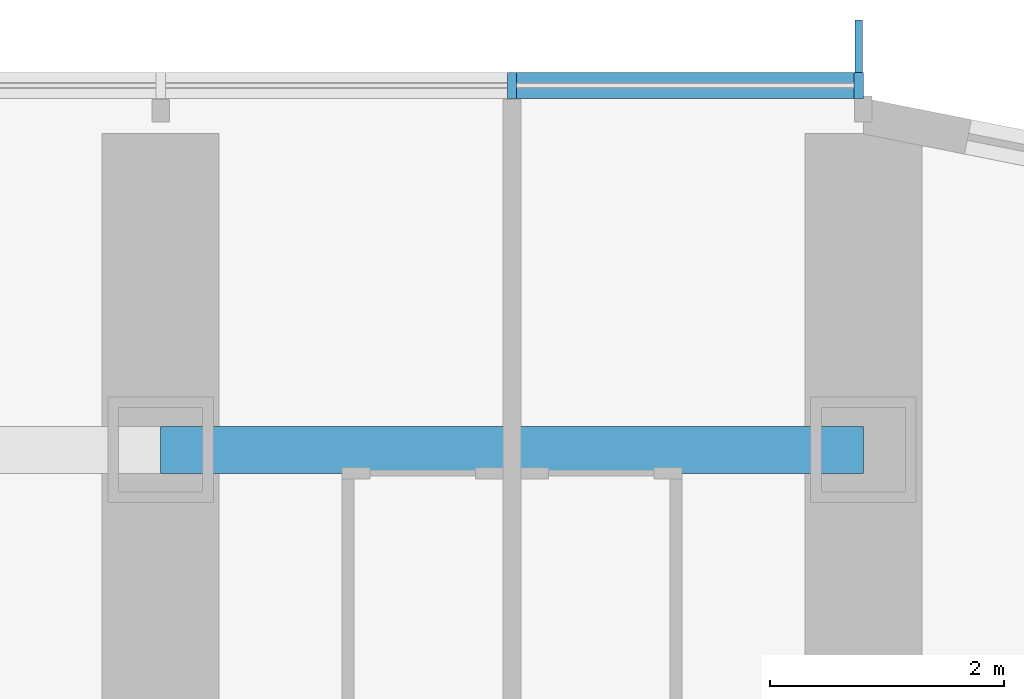
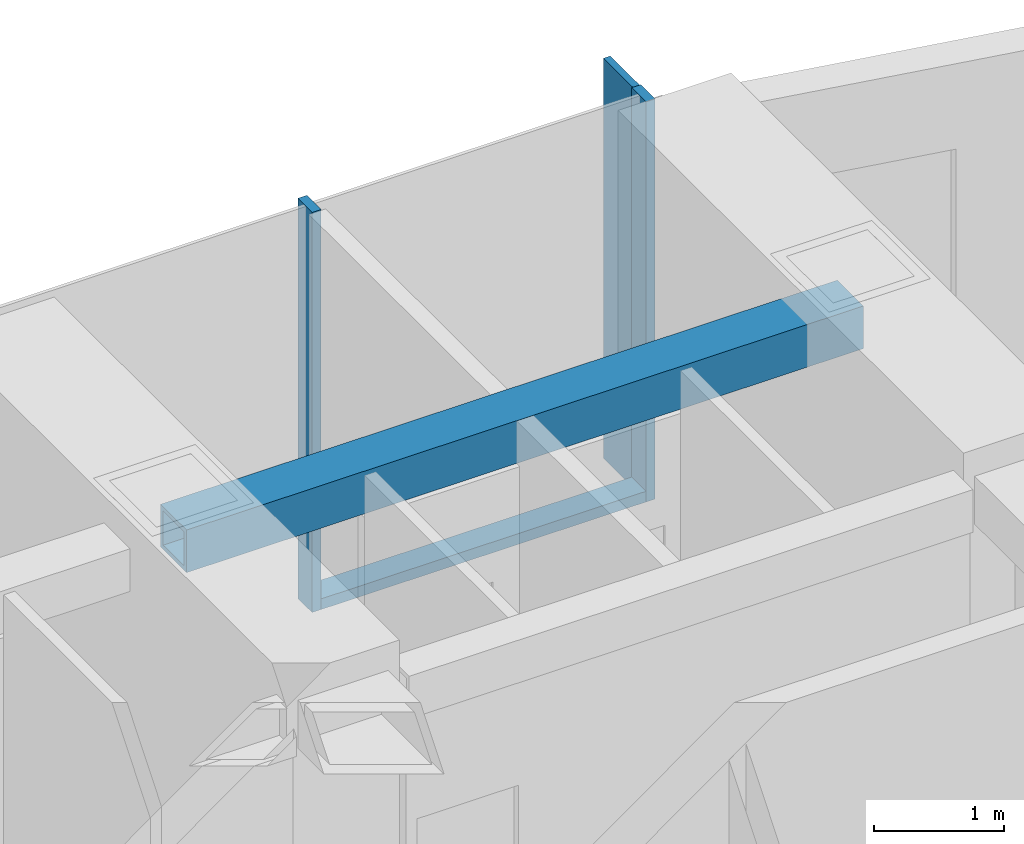
# One storey, part 7 of 25: 4 members, 1 beam, 1 element without a shape of its own.
"""IFC4 building model written with IfcOpenShell, lengths in metres."""

from ifc_helpers import new_model, si_unit, direction, frame, origin, origin_2d, place, context, subcontext, project, spatial, rectangle, hollow_rectangle, extrude, material, material_profile, profile_set, type_object, element, aggregate, save


model = new_model("IFC4")

# Units and contexts
model_context = context("Model", 3, precision=1e-05, world=origin(), true_north=direction((0.0, 1.0)))
body_context = subcontext(model_context, "Body", "Model", "MODEL_VIEW")
ifc_project = project(units=[si_unit("LENGTHUNIT", "METRE"), si_unit("AREAUNIT", "SQUARE_METRE"), si_unit("VOLUMEUNIT", "CUBIC_METRE"), si_unit("PLANEANGLEUNIT", "RADIAN"), si_unit("MASSUNIT", "GRAM", prefix="KILO")], contexts=[model_context])

# Site, building, storey
site_placement = place(None, origin())
site = spatial("IfcSite", under=ifc_project, at=site_placement, CompositionType="ELEMENT")
building_placement = place(site_placement, origin())
building = spatial("IfcBuilding", under=site, at=building_placement, Name="Orbita Commons", CompositionType="ELEMENT")
storey_placement = place(building_placement, frame((0.0, 0.0, 31.449951171875)))
storey = spatial("IfcBuildingStorey", under=building, at=storey_placement, Name="L07", CompositionType="ELEMENT", Elevation=31.449951171875)

# Curtain wall, members
ifc_material_1 = material(Name="Anodised aluminium frame, pale silver", Category="aluminium")
curtain_wall_type = type_object("IfcCurtainWallType", Name="Unitised curtain wall CW-T, vision and spandrel", PredefinedType="NOTDEFINED", material=ifc_material_1)
curtain_wall_placement = place(storey_placement, origin())
curtain_wall = element("IfcCurtainWall", 1, at=curtain_wall_placement, inside=storey, type_object=curtain_wall_type, Name="Curtain wall north L07", PredefinedType="NOTDEFINED")
ifc_material_2 = material(Name="Anodised aluminium, pale silver", Category="aluminium")
ifc_material_profile_1 = material_profile(ifc_material_2, rectangle(XDim=0.080078125, YDim=0.219970703125, at=origin_2d()), Name="AL 80x220")
ifc_profile_set_1 = profile_set([ifc_material_profile_1], Name="Anodised aluminium, pale silver")
member_type_1 = type_object("IfcMemberType", Name="Curtain wall mullion 80x220", PredefinedType="MULLION", material=ifc_profile_set_1)
member_1_placement = place(storey_placement, frame((71.9599609375, 56.7099609375, -0.25), z_axis=(0.0, 0.0, 1.0), x_axis=(-1.0, 0.0, 0.0)))
member_1 = element("IfcMember", 2, at=member_1_placement, type_object=member_type_1, Name="Mullion 1 CW-L07-N", PredefinedType="MULLION", context=body_context, shape_type="SweptSolid", body=[
    extrude(rectangle(XDim=0.080078125, YDim=0.219970703125, at=origin_2d()), origin(), (0.0, 0.0, 1.0), 3.75),
])
member_2_placement = place(storey_placement, frame((69.0, 56.7099609375, -0.25), z_axis=(0.0, 0.0, 1.0), x_axis=(-1.0, 0.0, 0.0)))
member_2 = element("IfcMember", 3, at=member_2_placement, type_object=member_type_1, Name="Mullion 2 CW-L07-N", PredefinedType="MULLION", context=body_context, shape_type="SweptSolid", body=[
    extrude(rectangle(XDim=0.080078125, YDim=0.219970703125, at=origin_2d()), origin(), (0.0, 0.0, 1.0), 3.75),
])
ifc_material_3 = material(Name="Anodised aluminium, pale silver", Category="aluminium")
ifc_material_profile_2 = material_profile(ifc_material_3, rectangle(XDim=0.219970703125, YDim=0.10009765625, at=origin_2d()), Name="AL 220x100")
ifc_profile_set_2 = profile_set([ifc_material_profile_2], Name="Anodised aluminium, pale silver")
member_type_2 = type_object("IfcMemberType", Name="Curtain wall stack transom 220x100", PredefinedType="USERDEFINED", material=ifc_profile_set_2)
member_3_placement = place(storey_placement, frame((71.919921875, 56.7099609375, -0.199951171875), z_axis=(-1.0, 0.0, 0.0), x_axis=(0.0, -1.0, 0.0)))
member_3 = element("IfcMember", 4, at=member_3_placement, type_object=member_type_2, Name="Transom 1.1 CW-L07-N", ObjectType="TRANSOM", PredefinedType="USERDEFINED", context=body_context, shape_type="SweptSolid", body=[
    extrude(rectangle(XDim=0.219970703125, YDim=0.10009765625, at=origin_2d()), origin(), (0.0, 0.0, 1.0), 2.8798828125),
])

# Beam
ifc_material_4 = material(Name="Steel ASTM A572 Gr 50 welded plate", Category="steel")
ifc_material_profile_3 = material_profile(ifc_material_4, hollow_rectangle(XDim=0.39990234375, YDim=0.39990234375, WallThickness=0.0400390625, at=origin_2d()), Name="BOX 400x400x40")
ifc_profile_set_3 = profile_set([ifc_material_profile_3], Name="Steel ASTM A572 Gr 50 welded plate")
beam_type = type_object("IfcBeamType", Name="Steel spandrel BOX 400x400x40", PredefinedType="SPANDREL", material=ifc_profile_set_3)
beam_placement = place(storey_placement, frame((66.0, 53.60009765625, 3.300048828125), z_axis=(1.0, 0.0, 0.0), x_axis=(0.0, 1.0, 0.0)))
element("IfcBeam", 5, at=beam_placement, inside=storey, type_object=beam_type, Name="Spandrel beam E 12-13 L07", PredefinedType="SPANDREL", context=body_context, shape_type="SweptSolid", body=[
    extrude(hollow_rectangle(XDim=0.39990234375, YDim=0.39990234375, WallThickness=0.0400390625, at=origin_2d()), origin(), (0.0, 0.0, 1.0), 6.0),
])

# Member
ifc_material_5 = material(Name="Anodised aluminium, pale silver", Category="aluminium")
ifc_material_profile_4 = material_profile(ifc_material_5, rectangle(XDim=0.06005859375, YDim=0.449951171875, at=origin_2d()), Name="FIN 60x450")
ifc_profile_set_4 = profile_set([ifc_material_profile_4], Name="Anodised aluminium, pale silver")
member_type_3 = type_object("IfcMemberType", Name="Vertical fin 60x450 pale aluminium", PredefinedType="USERDEFINED", material=ifc_profile_set_4)
member_4_placement = place(storey_placement, frame((71.9599609375, 57.044921875, -0.25), z_axis=(0.0, 0.0, 1.0), x_axis=(-1.0, 0.0, 0.0)))
member_4 = element("IfcMember", 6, at=member_4_placement, type_object=member_type_3, Name="Fin 1 CW-L07-N", ObjectType="FIN", PredefinedType="USERDEFINED", context=body_context, shape_type="SweptSolid", body=[
    extrude(rectangle(XDim=0.06005859375, YDim=0.449951171875, at=origin_2d()), origin(), (0.0, 0.0, 1.0), 3.75),
])

aggregate(curtain_wall, [member_1, member_4, member_2, member_3])

save(model, "model.ifc")
